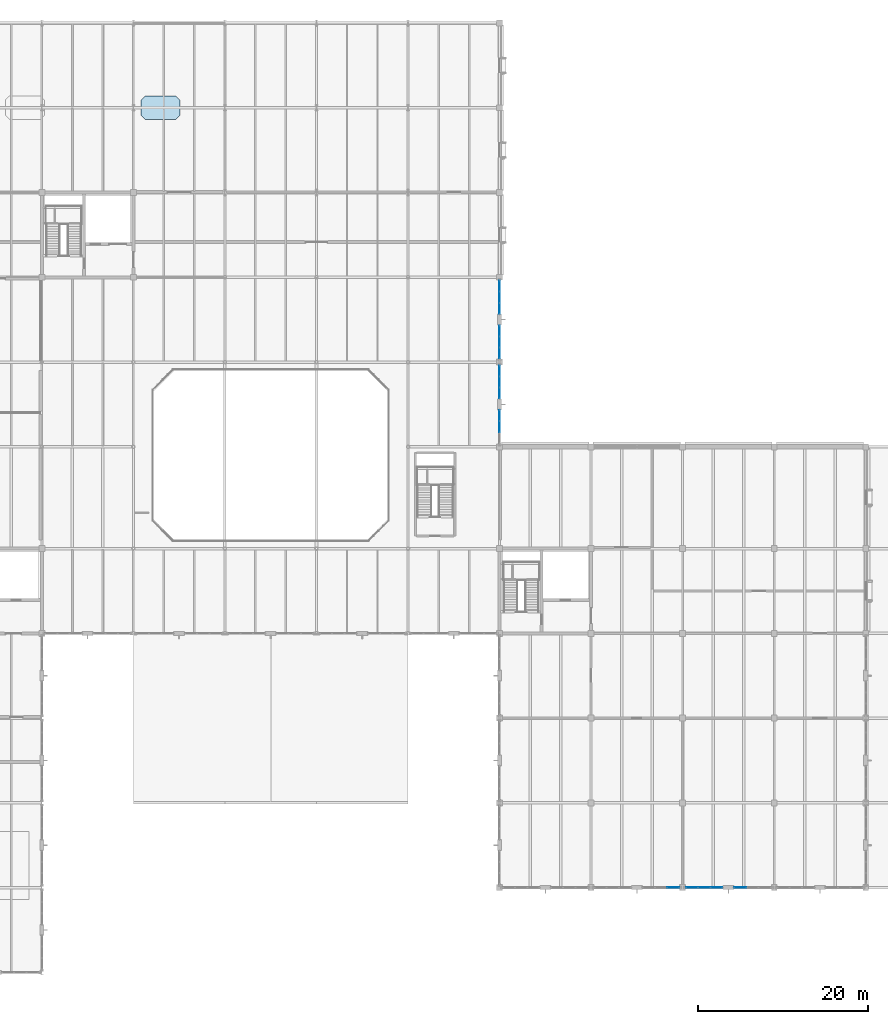
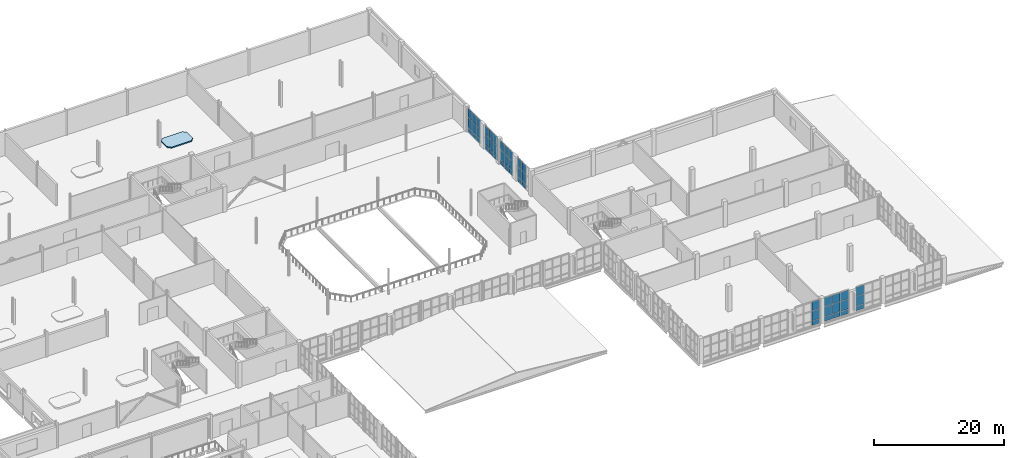
# One storey, part 62 of 92: 48 plates, 1 slab, 7 elements without a shape of their own.
"""IFC4 building model written with IfcOpenShell, lengths in metres."""

from ifc_helpers import new_model, si_unit, direction, frame, origin, origin_2d, place, context, subcontext, project, spatial, polyline, rectangle, outline, extrude, material, layer, layer_set, type_object, element, aggregate, save


model = new_model("IFC4")

# Units and contexts
model_context = context("Model", 3, precision=1e-05, world=origin(), true_north=direction((0.0, 1.0)))
body_context = subcontext(model_context, "Body", "Model", "MODEL_VIEW")
ifc_project = project(units=[si_unit("LENGTHUNIT", "METRE"), si_unit("AREAUNIT", "SQUARE_METRE"), si_unit("VOLUMEUNIT", "CUBIC_METRE"), si_unit("PLANEANGLEUNIT", "RADIAN"), si_unit("MASSUNIT", "GRAM", prefix="KILO")], contexts=[model_context])

# Site, building, storey
site_placement = place(None, origin())
site = spatial("IfcSite", under=ifc_project, at=site_placement, CompositionType="ELEMENT")
building_placement = place(site_placement, origin())
building = spatial("IfcBuilding", under=site, at=building_placement, Name="Tasgan Crest Museum", CompositionType="ELEMENT")
storey_placement = place(building_placement, frame((0.0, 0.0, 4.800048828125)))
storey = spatial("IfcBuildingStorey", under=building, at=storey_placement, Name="L01", CompositionType="ELEMENT", Elevation=4.800048828125)

# Curtain wall, plate
ifc_material_1 = material(Name="Triple-Glazed Aluminium Curtain Wall", Category="aluminium")
ifc_layer_1 = layer(ifc_material_1, 0.179931640625, Name="CW-PORCH-X")
ifc_layer_set_1 = layer_set([ifc_layer_1], Name="Triple-Glazed Aluminium Curtain Wall")
curtain_wall_type_1 = type_object("IfcCurtainWallType", Name="CW-PORCH-X", PredefinedType="NOTDEFINED", material=ifc_layer_set_1)
curtain_wall_1_placement = place(storey_placement, origin())
curtain_wall_1 = element("IfcCurtainWall", 1, at=curtain_wall_1_placement, inside=storey, type_object=curtain_wall_type_1, Name="Curtain wall L01 046", PredefinedType="NOTDEFINED")
ifc_material_2 = material(Name="Insulated Spandrel Glass", Category="glass")
ifc_layer_2 = layer(ifc_material_2, 0.052001953125, Name="CW-PANEL-SPANDREL")
ifc_layer_set_2 = layer_set([ifc_layer_2], Name="Insulated Spandrel Glass")
plate_type_1 = type_object("IfcPlateType", Name="CW-PANEL-SPANDREL", PredefinedType="CURTAIN_PANEL", material=ifc_layer_set_2)
plate_1_placement = place(storey_placement, frame((128.48828125, 10.0, 0.059814453125), z_axis=(0.0, 0.0, 1.0), x_axis=(1.0, 0.0, 0.0)))
plate_1 = element("IfcPlate", 2, at=plate_1_placement, type_object=plate_type_1, Name="CW01 panel 3.1", PredefinedType="CURTAIN_PANEL", context=body_context, shape_type="SweptSolid", body=[
    extrude(rectangle(XDim=1.373291015625, YDim=0.028076171875, at=origin_2d()), origin(), (0.0, 0.0, 1.0), 0.81005859375),
])

# Curtain wall, plates
curtain_wall_2_placement = place(storey_placement, origin())
curtain_wall_2 = element("IfcCurtainWall", 3, at=curtain_wall_2_placement, inside=storey, type_object=curtain_wall_type_1, Name="Curtain wall L01 047", PredefinedType="NOTDEFINED")
plate_2_placement = place(storey_placement, frame((130.711669921875, 10.0, 0.059814453125), z_axis=(0.0, 0.0, 1.0), x_axis=(1.0, 0.0, 0.0)))
plate_2 = element("IfcPlate", 4, at=plate_2_placement, type_object=plate_type_1, Name="CW01 panel 1.1", PredefinedType="CURTAIN_PANEL", context=body_context, shape_type="SweptSolid", body=[
    extrude(rectangle(XDim=1.373291015625, YDim=0.028076171875, at=origin_2d()), origin(), (0.0, 0.0, 1.0), 0.81005859375),
])
plate_3_placement = place(storey_placement, frame((132.159912109375, 10.0, 0.059814453125), z_axis=(0.0, 0.0, 1.0), x_axis=(1.0, 0.0, 0.0)))
plate_3 = element("IfcPlate", 5, at=plate_3_placement, type_object=plate_type_1, Name="CW01 panel 2.1", PredefinedType="CURTAIN_PANEL", context=body_context, shape_type="SweptSolid", body=[
    extrude(rectangle(XDim=1.4033203125, YDim=0.028076171875, at=origin_2d()), origin(), (0.0, 0.0, 1.0), 0.81005859375),
])
plate_4_placement = place(storey_placement, frame((133.6083984375, 10.0, 0.059814453125), z_axis=(0.0, 0.0, 1.0), x_axis=(1.0, 0.0, 0.0)))
plate_4 = element("IfcPlate", 6, at=plate_4_placement, type_object=plate_type_1, Name="CW01 panel 3.1", PredefinedType="CURTAIN_PANEL", context=body_context, shape_type="SweptSolid", body=[
    extrude(rectangle(XDim=1.373291015625, YDim=0.028076171875, at=origin_2d()), origin(), (0.0, 0.0, 1.0), 0.81005859375),
])

# Curtain wall, plate
curtain_wall_3_placement = place(storey_placement, origin())
curtain_wall_3 = element("IfcCurtainWall", 7, at=curtain_wall_3_placement, inside=storey, type_object=curtain_wall_type_1, Name="Curtain wall L01 048", PredefinedType="NOTDEFINED")
plate_5_placement = place(storey_placement, frame((136.3916015625, 10.0, 0.059814453125), z_axis=(0.0, 0.0, 1.0), x_axis=(1.0, 0.0, 0.0)))
plate_5 = element("IfcPlate", 8, at=plate_5_placement, type_object=plate_type_1, Name="CW01 panel 1.1", PredefinedType="CURTAIN_PANEL", context=body_context, shape_type="SweptSolid", body=[
    extrude(rectangle(XDim=1.373291015625, YDim=0.028076171875, at=origin_2d()), origin(), (0.0, 0.0, 1.0), 0.81005859375),
])

# Curtain wall, plates
ifc_material_3 = material(Name="Triple-Glazed Aluminium Curtain Wall", Category="aluminium")
ifc_layer_3 = layer(ifc_material_3, 0.179931640625, Name="CW-DRUM-Y10-48")
ifc_layer_set_3 = layer_set([ifc_layer_3], Name="Triple-Glazed Aluminium Curtain Wall")
curtain_wall_type_2 = type_object("IfcCurtainWallType", Name="CW-DRUM-Y10-48", PredefinedType="NOTDEFINED", material=ifc_layer_set_3)
curtain_wall_4_placement = place(storey_placement, origin())
curtain_wall_4 = element("IfcCurtainWall", 9, at=curtain_wall_4_placement, inside=storey, type_object=curtain_wall_type_2, Name="Curtain wall L01 057", PredefinedType="NOTDEFINED")
plate_6_placement = place(storey_placement, frame((108.0, 64.360107421875, 0.059814453125), z_axis=(0.0, 0.0, 1.0), x_axis=(0.0, 1.0, 0.0)))
plate_6 = element("IfcPlate", 10, at=plate_6_placement, type_object=plate_type_1, Name="CW04 panel 2.1", PredefinedType="CURTAIN_PANEL", context=body_context, shape_type="SweptSolid", body=[
    extrude(rectangle(XDim=1.27001953125, YDim=0.028076171875, at=origin_2d()), origin(), (0.0, 0.0, 1.0), 0.81005859375),
])
plate_7_placement = place(storey_placement, frame((108.0, 65.675048828125, 0.059814453125), z_axis=(0.0, 0.0, 1.0), x_axis=(0.0, 1.0, 0.0)))
plate_7 = element("IfcPlate", 11, at=plate_7_placement, type_object=plate_type_1, Name="CW04 panel 3.1", PredefinedType="CURTAIN_PANEL", context=body_context, shape_type="SweptSolid", body=[
    extrude(rectangle(XDim=1.239990234375, YDim=0.028076171875, at=origin_2d()), origin(), (0.0, 0.0, 1.0), 0.81005859375),
])

curtain_wall_5_placement = place(storey_placement, origin())
curtain_wall_5 = element("IfcCurtainWall", 12, at=curtain_wall_5_placement, inside=storey, type_object=curtain_wall_type_2, Name="Curtain wall L01 058", PredefinedType="NOTDEFINED")
plate_8_placement = place(storey_placement, frame((108.0, 68.324951171875, 0.059814453125), z_axis=(0.0, 0.0, 1.0), x_axis=(0.0, 1.0, 0.0)))
plate_8 = element("IfcPlate", 13, at=plate_8_placement, type_object=plate_type_1, Name="CW04 panel 1.1", PredefinedType="CURTAIN_PANEL", context=body_context, shape_type="SweptSolid", body=[
    extrude(rectangle(XDim=1.239990234375, YDim=0.028076171875, at=origin_2d()), origin(), (0.0, 0.0, 1.0), 0.81005859375),
])
plate_9_placement = place(storey_placement, frame((108.0, 69.639892578125, 0.059814453125), z_axis=(0.0, 0.0, 1.0), x_axis=(0.0, 1.0, 0.0)))
plate_9 = element("IfcPlate", 14, at=plate_9_placement, type_object=plate_type_1, Name="CW04 panel 2.1", PredefinedType="CURTAIN_PANEL", context=body_context, shape_type="SweptSolid", body=[
    extrude(rectangle(XDim=1.27001953125, YDim=0.028076171875, at=origin_2d()), origin(), (0.0, 0.0, 1.0), 0.81005859375),
])
plate_10_placement = place(storey_placement, frame((108.0, 70.955078125, 0.059814453125), z_axis=(0.0, 0.0, 1.0), x_axis=(0.0, 1.0, 0.0)))
plate_10 = element("IfcPlate", 15, at=plate_10_placement, type_object=plate_type_1, Name="CW04 panel 3.1", PredefinedType="CURTAIN_PANEL", context=body_context, shape_type="SweptSolid", body=[
    extrude(rectangle(XDim=1.239990234375, YDim=0.028076171875, at=origin_2d()), origin(), (0.0, 0.0, 1.0), 0.81005859375),
])

curtain_wall_6_placement = place(storey_placement, origin())
curtain_wall_6 = element("IfcCurtainWall", 16, at=curtain_wall_6_placement, inside=storey, type_object=curtain_wall_type_2, Name="Curtain wall L01 059", PredefinedType="NOTDEFINED")
plate_11_placement = place(storey_placement, frame((108.0, 73.044921875, 0.059814453125), z_axis=(0.0, 0.0, 1.0), x_axis=(0.0, 1.0, 0.0)))
plate_11 = element("IfcPlate", 17, at=plate_11_placement, type_object=plate_type_1, Name="CW04 panel 1.1", PredefinedType="CURTAIN_PANEL", context=body_context, shape_type="SweptSolid", body=[
    extrude(rectangle(XDim=1.239990234375, YDim=0.028076171875, at=origin_2d()), origin(), (0.0, 0.0, 1.0), 0.81005859375),
])
plate_12_placement = place(storey_placement, frame((108.0, 74.360107421875, 0.059814453125), z_axis=(0.0, 0.0, 1.0), x_axis=(0.0, 1.0, 0.0)))
plate_12 = element("IfcPlate", 18, at=plate_12_placement, type_object=plate_type_1, Name="CW04 panel 2.1", PredefinedType="CURTAIN_PANEL", context=body_context, shape_type="SweptSolid", body=[
    extrude(rectangle(XDim=1.27001953125, YDim=0.028076171875, at=origin_2d()), origin(), (0.0, 0.0, 1.0), 0.81005859375),
])
plate_13_placement = place(storey_placement, frame((108.0, 75.675048828125, 0.059814453125), z_axis=(0.0, 0.0, 1.0), x_axis=(0.0, 1.0, 0.0)))
plate_13 = element("IfcPlate", 19, at=plate_13_placement, type_object=plate_type_1, Name="CW04 panel 3.1", PredefinedType="CURTAIN_PANEL", context=body_context, shape_type="SweptSolid", body=[
    extrude(rectangle(XDim=1.239990234375, YDim=0.028076171875, at=origin_2d()), origin(), (0.0, 0.0, 1.0), 0.81005859375),
])

curtain_wall_7_placement = place(storey_placement, origin())
curtain_wall_7 = element("IfcCurtainWall", 20, at=curtain_wall_7_placement, inside=storey, type_object=curtain_wall_type_2, Name="Curtain wall L01 060", PredefinedType="NOTDEFINED")
plate_14_placement = place(storey_placement, frame((108.0, 78.324951171875, 0.059814453125), z_axis=(0.0, 0.0, 1.0), x_axis=(0.0, 1.0, 0.0)))
plate_14 = element("IfcPlate", 21, at=plate_14_placement, type_object=plate_type_1, Name="CW04 panel 1.1", PredefinedType="CURTAIN_PANEL", context=body_context, shape_type="SweptSolid", body=[
    extrude(rectangle(XDim=1.239990234375, YDim=0.028076171875, at=origin_2d()), origin(), (0.0, 0.0, 1.0), 0.81005859375),
])
plate_15_placement = place(storey_placement, frame((108.0, 79.639892578125, 0.059814453125), z_axis=(0.0, 0.0, 1.0), x_axis=(0.0, 1.0, 0.0)))
plate_15 = element("IfcPlate", 22, at=plate_15_placement, type_object=plate_type_1, Name="CW04 panel 2.1", PredefinedType="CURTAIN_PANEL", context=body_context, shape_type="SweptSolid", body=[
    extrude(rectangle(XDim=1.27001953125, YDim=0.028076171875, at=origin_2d()), origin(), (0.0, 0.0, 1.0), 0.81005859375),
])
plate_16_placement = place(storey_placement, frame((108.0, 80.955078125, 0.059814453125), z_axis=(0.0, 0.0, 1.0), x_axis=(0.0, 1.0, 0.0)))
plate_16 = element("IfcPlate", 23, at=plate_16_placement, type_object=plate_type_1, Name="CW04 panel 3.1", PredefinedType="CURTAIN_PANEL", context=body_context, shape_type="SweptSolid", body=[
    extrude(rectangle(XDim=1.239990234375, YDim=0.028076171875, at=origin_2d()), origin(), (0.0, 0.0, 1.0), 0.81005859375),
])

# Plate
ifc_material_4 = material(Name="Low-E Triple Glazing", Category="glass")
ifc_layer_4 = layer(ifc_material_4, 0.0439453125, Name="CW-PANEL-TRIPLE")
ifc_layer_set_4 = layer_set([ifc_layer_4], Name="Low-E Triple Glazing")
plate_type_2 = type_object("IfcPlateType", Name="CW-PANEL-TRIPLE", PredefinedType="CURTAIN_PANEL", material=ifc_layer_set_4)
plate_17_placement = place(storey_placement, frame((128.48828125, 10.0, 0.9296875), z_axis=(0.0, 0.0, 1.0), x_axis=(1.0, 0.0, 0.0)))
plate_17 = element("IfcPlate", 24, at=plate_17_placement, type_object=plate_type_2, Name="CW01 panel 3.2", PredefinedType="CURTAIN_PANEL", context=body_context, shape_type="SweptSolid", body=[
    extrude(rectangle(XDim=1.373291015625, YDim=0.028076171875, at=origin_2d()), origin(), (0.0, 0.0, 1.0), 1.840087890625),
])

plate_18_placement = place(storey_placement, frame((128.48828125, 10.0, 2.830078125), z_axis=(0.0, 0.0, 1.0), x_axis=(1.0, 0.0, 0.0)))
plate_18 = element("IfcPlate", 25, at=plate_18_placement, type_object=plate_type_2, Name="CW01 panel 3.3", PredefinedType="CURTAIN_PANEL", context=body_context, shape_type="SweptSolid", body=[
    extrude(rectangle(XDim=1.373291015625, YDim=0.028076171875, at=origin_2d()), origin(), (0.0, 0.0, 1.0), 1.669921875),
])

aggregate(curtain_wall_1, [plate_1, plate_17, plate_18])

plate_19_placement = place(storey_placement, frame((130.711669921875, 10.0, 0.9296875), z_axis=(0.0, 0.0, 1.0), x_axis=(1.0, 0.0, 0.0)))
plate_19 = element("IfcPlate", 26, at=plate_19_placement, type_object=plate_type_2, Name="CW01 panel 1.2", PredefinedType="CURTAIN_PANEL", context=body_context, shape_type="SweptSolid", body=[
    extrude(rectangle(XDim=1.373291015625, YDim=0.028076171875, at=origin_2d()), origin(), (0.0, 0.0, 1.0), 1.840087890625),
])

plate_20_placement = place(storey_placement, frame((130.711669921875, 10.0, 2.830078125), z_axis=(0.0, 0.0, 1.0), x_axis=(1.0, 0.0, 0.0)))
plate_20 = element("IfcPlate", 27, at=plate_20_placement, type_object=plate_type_2, Name="CW01 panel 1.3", PredefinedType="CURTAIN_PANEL", context=body_context, shape_type="SweptSolid", body=[
    extrude(rectangle(XDim=1.373291015625, YDim=0.028076171875, at=origin_2d()), origin(), (0.0, 0.0, 1.0), 1.669921875),
])

plate_21_placement = place(storey_placement, frame((132.159912109375, 10.0, 0.9296875), z_axis=(0.0, 0.0, 1.0), x_axis=(1.0, 0.0, 0.0)))
plate_21 = element("IfcPlate", 28, at=plate_21_placement, type_object=plate_type_2, Name="CW01 panel 2.2", PredefinedType="CURTAIN_PANEL", context=body_context, shape_type="SweptSolid", body=[
    extrude(rectangle(XDim=1.4033203125, YDim=0.028076171875, at=origin_2d()), origin(), (0.0, 0.0, 1.0), 1.840087890625),
])

plate_22_placement = place(storey_placement, frame((132.159912109375, 10.0, 2.830078125), z_axis=(0.0, 0.0, 1.0), x_axis=(1.0, 0.0, 0.0)))
plate_22 = element("IfcPlate", 29, at=plate_22_placement, type_object=plate_type_2, Name="CW01 panel 2.3", PredefinedType="CURTAIN_PANEL", context=body_context, shape_type="SweptSolid", body=[
    extrude(rectangle(XDim=1.4033203125, YDim=0.028076171875, at=origin_2d()), origin(), (0.0, 0.0, 1.0), 1.669921875),
])

plate_23_placement = place(storey_placement, frame((133.6083984375, 10.0, 0.9296875), z_axis=(0.0, 0.0, 1.0), x_axis=(1.0, 0.0, 0.0)))
plate_23 = element("IfcPlate", 30, at=plate_23_placement, type_object=plate_type_2, Name="CW01 panel 3.2", PredefinedType="CURTAIN_PANEL", context=body_context, shape_type="SweptSolid", body=[
    extrude(rectangle(XDim=1.373291015625, YDim=0.028076171875, at=origin_2d()), origin(), (0.0, 0.0, 1.0), 1.840087890625),
])

plate_24_placement = place(storey_placement, frame((133.6083984375, 10.0, 2.830078125), z_axis=(0.0, 0.0, 1.0), x_axis=(1.0, 0.0, 0.0)))
plate_24 = element("IfcPlate", 31, at=plate_24_placement, type_object=plate_type_2, Name="CW01 panel 3.3", PredefinedType="CURTAIN_PANEL", context=body_context, shape_type="SweptSolid", body=[
    extrude(rectangle(XDim=1.373291015625, YDim=0.028076171875, at=origin_2d()), origin(), (0.0, 0.0, 1.0), 1.669921875),
])

aggregate(curtain_wall_2, [plate_2, plate_19, plate_20, plate_3, plate_21, plate_22, plate_4, plate_23, plate_24])

plate_25_placement = place(storey_placement, frame((136.3916015625, 10.0, 0.9296875), z_axis=(0.0, 0.0, 1.0), x_axis=(1.0, 0.0, 0.0)))
plate_25 = element("IfcPlate", 32, at=plate_25_placement, type_object=plate_type_2, Name="CW01 panel 1.2", PredefinedType="CURTAIN_PANEL", context=body_context, shape_type="SweptSolid", body=[
    extrude(rectangle(XDim=1.373291015625, YDim=0.028076171875, at=origin_2d()), origin(), (0.0, 0.0, 1.0), 1.840087890625),
])

plate_26_placement = place(storey_placement, frame((136.3916015625, 10.0, 2.830078125), z_axis=(0.0, 0.0, 1.0), x_axis=(1.0, 0.0, 0.0)))
plate_26 = element("IfcPlate", 33, at=plate_26_placement, type_object=plate_type_2, Name="CW01 panel 1.3", PredefinedType="CURTAIN_PANEL", context=body_context, shape_type="SweptSolid", body=[
    extrude(rectangle(XDim=1.373291015625, YDim=0.028076171875, at=origin_2d()), origin(), (0.0, 0.0, 1.0), 1.669921875),
])

aggregate(curtain_wall_3, [plate_5, plate_25, plate_26])

plate_27_placement = place(storey_placement, frame((108.0, 64.360107421875, 0.9296875), z_axis=(0.0, 0.0, 1.0), x_axis=(0.0, 1.0, 0.0)))
plate_27 = element("IfcPlate", 34, at=plate_27_placement, type_object=plate_type_2, Name="CW04 panel 2.2", PredefinedType="CURTAIN_PANEL", context=body_context, shape_type="SweptSolid", body=[
    extrude(rectangle(XDim=1.27001953125, YDim=0.028076171875, at=origin_2d()), origin(), (0.0, 0.0, 1.0), 1.840087890625),
])

plate_28_placement = place(storey_placement, frame((108.0, 64.360107421875, 2.830078125), z_axis=(0.0, 0.0, 1.0), x_axis=(0.0, 1.0, 0.0)))
plate_28 = element("IfcPlate", 35, at=plate_28_placement, type_object=plate_type_2, Name="CW04 panel 2.3", PredefinedType="CURTAIN_PANEL", context=body_context, shape_type="SweptSolid", body=[
    extrude(rectangle(XDim=1.27001953125, YDim=0.028076171875, at=origin_2d()), origin(), (0.0, 0.0, 1.0), 1.669921875),
])

plate_29_placement = place(storey_placement, frame((108.0, 65.675048828125, 0.9296875), z_axis=(0.0, 0.0, 1.0), x_axis=(0.0, 1.0, 0.0)))
plate_29 = element("IfcPlate", 36, at=plate_29_placement, type_object=plate_type_2, Name="CW04 panel 3.2", PredefinedType="CURTAIN_PANEL", context=body_context, shape_type="SweptSolid", body=[
    extrude(rectangle(XDim=1.239990234375, YDim=0.028076171875, at=origin_2d()), origin(), (0.0, 0.0, 1.0), 1.840087890625),
])

plate_30_placement = place(storey_placement, frame((108.0, 65.675048828125, 2.830078125), z_axis=(0.0, 0.0, 1.0), x_axis=(0.0, 1.0, 0.0)))
plate_30 = element("IfcPlate", 37, at=plate_30_placement, type_object=plate_type_2, Name="CW04 panel 3.3", PredefinedType="CURTAIN_PANEL", context=body_context, shape_type="SweptSolid", body=[
    extrude(rectangle(XDim=1.239990234375, YDim=0.028076171875, at=origin_2d()), origin(), (0.0, 0.0, 1.0), 1.669921875),
])

aggregate(curtain_wall_4, [plate_6, plate_27, plate_28, plate_7, plate_29, plate_30])

plate_31_placement = place(storey_placement, frame((108.0, 68.324951171875, 0.9296875), z_axis=(0.0, 0.0, 1.0), x_axis=(0.0, 1.0, 0.0)))
plate_31 = element("IfcPlate", 38, at=plate_31_placement, type_object=plate_type_2, Name="CW04 panel 1.2", PredefinedType="CURTAIN_PANEL", context=body_context, shape_type="SweptSolid", body=[
    extrude(rectangle(XDim=1.239990234375, YDim=0.028076171875, at=origin_2d()), origin(), (0.0, 0.0, 1.0), 1.840087890625),
])

plate_32_placement = place(storey_placement, frame((108.0, 68.324951171875, 2.830078125), z_axis=(0.0, 0.0, 1.0), x_axis=(0.0, 1.0, 0.0)))
plate_32 = element("IfcPlate", 39, at=plate_32_placement, type_object=plate_type_2, Name="CW04 panel 1.3", PredefinedType="CURTAIN_PANEL", context=body_context, shape_type="SweptSolid", body=[
    extrude(rectangle(XDim=1.239990234375, YDim=0.028076171875, at=origin_2d()), origin(), (0.0, 0.0, 1.0), 1.669921875),
])

plate_33_placement = place(storey_placement, frame((108.0, 69.639892578125, 0.9296875), z_axis=(0.0, 0.0, 1.0), x_axis=(0.0, 1.0, 0.0)))
plate_33 = element("IfcPlate", 40, at=plate_33_placement, type_object=plate_type_2, Name="CW04 panel 2.2", PredefinedType="CURTAIN_PANEL", context=body_context, shape_type="SweptSolid", body=[
    extrude(rectangle(XDim=1.27001953125, YDim=0.028076171875, at=origin_2d()), origin(), (0.0, 0.0, 1.0), 1.840087890625),
])

plate_34_placement = place(storey_placement, frame((108.0, 69.639892578125, 2.830078125), z_axis=(0.0, 0.0, 1.0), x_axis=(0.0, 1.0, 0.0)))
plate_34 = element("IfcPlate", 41, at=plate_34_placement, type_object=plate_type_2, Name="CW04 panel 2.3", PredefinedType="CURTAIN_PANEL", context=body_context, shape_type="SweptSolid", body=[
    extrude(rectangle(XDim=1.27001953125, YDim=0.028076171875, at=origin_2d()), origin(), (0.0, 0.0, 1.0), 1.669921875),
])

plate_35_placement = place(storey_placement, frame((108.0, 70.955078125, 0.9296875), z_axis=(0.0, 0.0, 1.0), x_axis=(0.0, 1.0, 0.0)))
plate_35 = element("IfcPlate", 42, at=plate_35_placement, type_object=plate_type_2, Name="CW04 panel 3.2", PredefinedType="CURTAIN_PANEL", context=body_context, shape_type="SweptSolid", body=[
    extrude(rectangle(XDim=1.239990234375, YDim=0.028076171875, at=origin_2d()), origin(), (0.0, 0.0, 1.0), 1.840087890625),
])

plate_36_placement = place(storey_placement, frame((108.0, 70.955078125, 2.830078125), z_axis=(0.0, 0.0, 1.0), x_axis=(0.0, 1.0, 0.0)))
plate_36 = element("IfcPlate", 43, at=plate_36_placement, type_object=plate_type_2, Name="CW04 panel 3.3", PredefinedType="CURTAIN_PANEL", context=body_context, shape_type="SweptSolid", body=[
    extrude(rectangle(XDim=1.239990234375, YDim=0.028076171875, at=origin_2d()), origin(), (0.0, 0.0, 1.0), 1.669921875),
])

aggregate(curtain_wall_5, [plate_8, plate_31, plate_32, plate_9, plate_33, plate_34, plate_10, plate_35, plate_36])

plate_37_placement = place(storey_placement, frame((108.0, 73.044921875, 0.9296875), z_axis=(0.0, 0.0, 1.0), x_axis=(0.0, 1.0, 0.0)))
plate_37 = element("IfcPlate", 44, at=plate_37_placement, type_object=plate_type_2, Name="CW04 panel 1.2", PredefinedType="CURTAIN_PANEL", context=body_context, shape_type="SweptSolid", body=[
    extrude(rectangle(XDim=1.239990234375, YDim=0.028076171875, at=origin_2d()), origin(), (0.0, 0.0, 1.0), 1.840087890625),
])

plate_38_placement = place(storey_placement, frame((108.0, 73.044921875, 2.830078125), z_axis=(0.0, 0.0, 1.0), x_axis=(0.0, 1.0, 0.0)))
plate_38 = element("IfcPlate", 45, at=plate_38_placement, type_object=plate_type_2, Name="CW04 panel 1.3", PredefinedType="CURTAIN_PANEL", context=body_context, shape_type="SweptSolid", body=[
    extrude(rectangle(XDim=1.239990234375, YDim=0.028076171875, at=origin_2d()), origin(), (0.0, 0.0, 1.0), 1.669921875),
])

plate_39_placement = place(storey_placement, frame((108.0, 74.360107421875, 0.9296875), z_axis=(0.0, 0.0, 1.0), x_axis=(0.0, 1.0, 0.0)))
plate_39 = element("IfcPlate", 46, at=plate_39_placement, type_object=plate_type_2, Name="CW04 panel 2.2", PredefinedType="CURTAIN_PANEL", context=body_context, shape_type="SweptSolid", body=[
    extrude(rectangle(XDim=1.27001953125, YDim=0.028076171875, at=origin_2d()), origin(), (0.0, 0.0, 1.0), 1.840087890625),
])

plate_40_placement = place(storey_placement, frame((108.0, 74.360107421875, 2.830078125), z_axis=(0.0, 0.0, 1.0), x_axis=(0.0, 1.0, 0.0)))
plate_40 = element("IfcPlate", 47, at=plate_40_placement, type_object=plate_type_2, Name="CW04 panel 2.3", PredefinedType="CURTAIN_PANEL", context=body_context, shape_type="SweptSolid", body=[
    extrude(rectangle(XDim=1.27001953125, YDim=0.028076171875, at=origin_2d()), origin(), (0.0, 0.0, 1.0), 1.669921875),
])

plate_41_placement = place(storey_placement, frame((108.0, 75.675048828125, 0.9296875), z_axis=(0.0, 0.0, 1.0), x_axis=(0.0, 1.0, 0.0)))
plate_41 = element("IfcPlate", 48, at=plate_41_placement, type_object=plate_type_2, Name="CW04 panel 3.2", PredefinedType="CURTAIN_PANEL", context=body_context, shape_type="SweptSolid", body=[
    extrude(rectangle(XDim=1.239990234375, YDim=0.028076171875, at=origin_2d()), origin(), (0.0, 0.0, 1.0), 1.840087890625),
])

plate_42_placement = place(storey_placement, frame((108.0, 75.675048828125, 2.830078125), z_axis=(0.0, 0.0, 1.0), x_axis=(0.0, 1.0, 0.0)))
plate_42 = element("IfcPlate", 49, at=plate_42_placement, type_object=plate_type_2, Name="CW04 panel 3.3", PredefinedType="CURTAIN_PANEL", context=body_context, shape_type="SweptSolid", body=[
    extrude(rectangle(XDim=1.239990234375, YDim=0.028076171875, at=origin_2d()), origin(), (0.0, 0.0, 1.0), 1.669921875),
])

aggregate(curtain_wall_6, [plate_11, plate_37, plate_38, plate_12, plate_39, plate_40, plate_13, plate_41, plate_42])

plate_43_placement = place(storey_placement, frame((108.0, 78.324951171875, 0.9296875), z_axis=(0.0, 0.0, 1.0), x_axis=(0.0, 1.0, 0.0)))
plate_43 = element("IfcPlate", 50, at=plate_43_placement, type_object=plate_type_2, Name="CW04 panel 1.2", PredefinedType="CURTAIN_PANEL", context=body_context, shape_type="SweptSolid", body=[
    extrude(rectangle(XDim=1.239990234375, YDim=0.028076171875, at=origin_2d()), origin(), (0.0, 0.0, 1.0), 1.840087890625),
])

plate_44_placement = place(storey_placement, frame((108.0, 78.324951171875, 2.830078125), z_axis=(0.0, 0.0, 1.0), x_axis=(0.0, 1.0, 0.0)))
plate_44 = element("IfcPlate", 51, at=plate_44_placement, type_object=plate_type_2, Name="CW04 panel 1.3", PredefinedType="CURTAIN_PANEL", context=body_context, shape_type="SweptSolid", body=[
    extrude(rectangle(XDim=1.239990234375, YDim=0.028076171875, at=origin_2d()), origin(), (0.0, 0.0, 1.0), 1.669921875),
])

plate_45_placement = place(storey_placement, frame((108.0, 79.639892578125, 0.9296875), z_axis=(0.0, 0.0, 1.0), x_axis=(0.0, 1.0, 0.0)))
plate_45 = element("IfcPlate", 52, at=plate_45_placement, type_object=plate_type_2, Name="CW04 panel 2.2", PredefinedType="CURTAIN_PANEL", context=body_context, shape_type="SweptSolid", body=[
    extrude(rectangle(XDim=1.27001953125, YDim=0.028076171875, at=origin_2d()), origin(), (0.0, 0.0, 1.0), 1.840087890625),
])

plate_46_placement = place(storey_placement, frame((108.0, 79.639892578125, 2.830078125), z_axis=(0.0, 0.0, 1.0), x_axis=(0.0, 1.0, 0.0)))
plate_46 = element("IfcPlate", 53, at=plate_46_placement, type_object=plate_type_2, Name="CW04 panel 2.3", PredefinedType="CURTAIN_PANEL", context=body_context, shape_type="SweptSolid", body=[
    extrude(rectangle(XDim=1.27001953125, YDim=0.028076171875, at=origin_2d()), origin(), (0.0, 0.0, 1.0), 1.669921875),
])

plate_47_placement = place(storey_placement, frame((108.0, 80.955078125, 0.9296875), z_axis=(0.0, 0.0, 1.0), x_axis=(0.0, 1.0, 0.0)))
plate_47 = element("IfcPlate", 54, at=plate_47_placement, type_object=plate_type_2, Name="CW04 panel 3.2", PredefinedType="CURTAIN_PANEL", context=body_context, shape_type="SweptSolid", body=[
    extrude(rectangle(XDim=1.239990234375, YDim=0.028076171875, at=origin_2d()), origin(), (0.0, 0.0, 1.0), 1.840087890625),
])

plate_48_placement = place(storey_placement, frame((108.0, 80.955078125, 2.830078125), z_axis=(0.0, 0.0, 1.0), x_axis=(0.0, 1.0, 0.0)))
plate_48 = element("IfcPlate", 55, at=plate_48_placement, type_object=plate_type_2, Name="CW04 panel 3.3", PredefinedType="CURTAIN_PANEL", context=body_context, shape_type="SweptSolid", body=[
    extrude(rectangle(XDim=1.239990234375, YDim=0.028076171875, at=origin_2d()), origin(), (0.0, 0.0, 1.0), 1.669921875),
])

aggregate(curtain_wall_7, [plate_14, plate_43, plate_44, plate_15, plate_45, plate_46, plate_16, plate_47, plate_48])

# Slab
ifc_material_5 = material(Name="Concrete C35/45", Category="concrete")
ifc_layer_5 = layer(ifc_material_5, 0.2099609375, Name="SL-DAIS-T06")
ifc_layer_set_5 = layer_set([ifc_layer_5], Name="Concrete C35/45")
slab_type = type_object("IfcSlabType", Name="SL-DAIS-T06", PredefinedType="FLOOR", material=ifc_layer_set_5)
slab_placement = place(storey_placement, origin())
element("IfcSlab", 56, at=slab_placement, inside=storey, type_object=slab_type, Name="Exhibition specimen dais L01-16", PredefinedType="FLOOR", context=body_context, shape_type="SweptSolid", body=[
    extrude(outline(polyline([(66.199951171875, 100.60009765625), (69.800048828125, 100.60009765625), (70.300048828125, 101.10009765625), (70.300048828125, 102.89990234375), (69.800048828125, 103.39990234375), (66.199951171875, 103.39990234375), (65.699951171875, 102.89990234375), (65.699951171875, 101.10009765625), (66.199951171875, 100.60009765625)])), origin(), (0.0, 0.0, 1.0), 0.2099609375),
])

save(model, "model.ifc")
